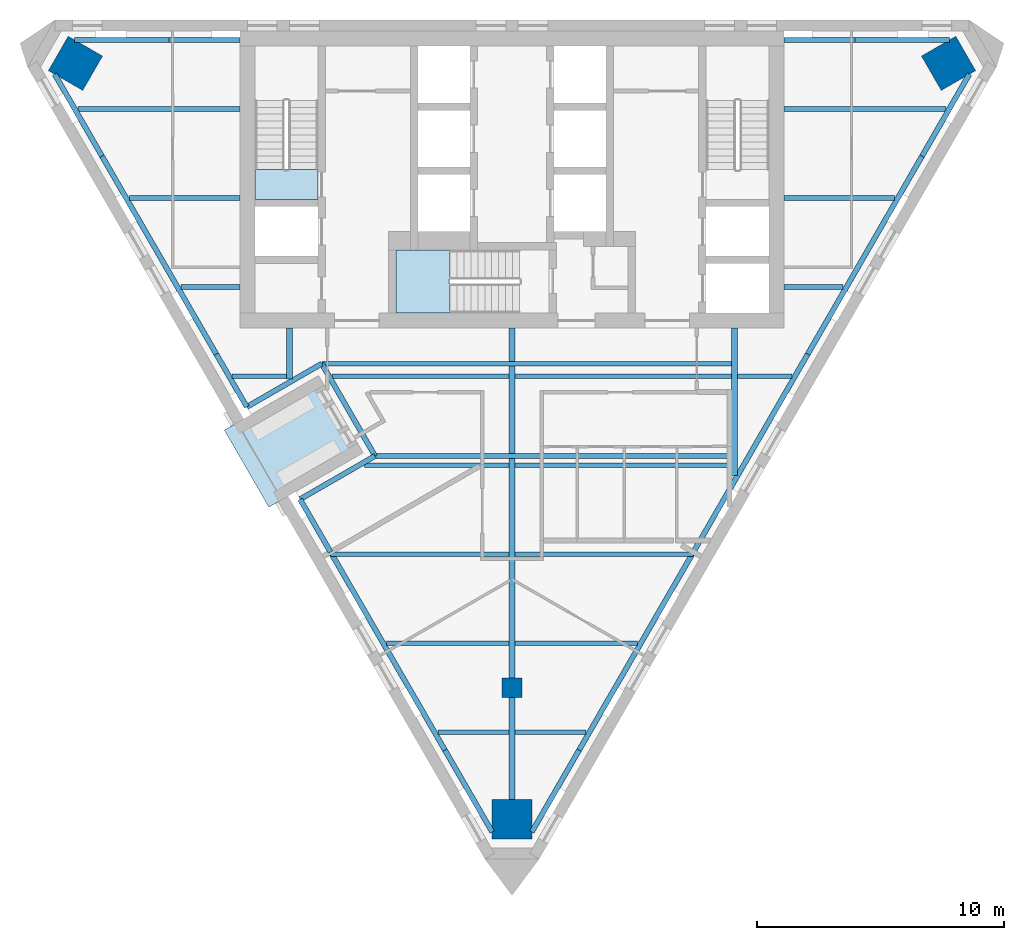
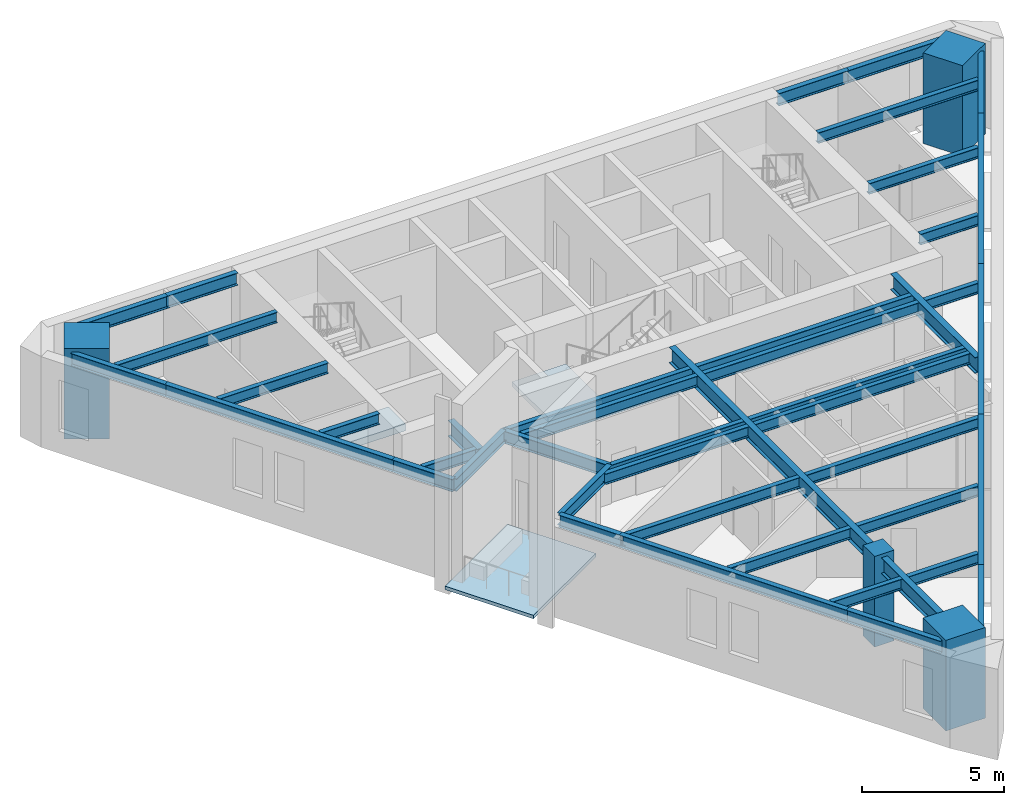
# One storey, part 1 of 7: 42 beams, 4 columns, 3 slabs, 1 element without a shape of its own.
"""IFC4 building model written with IfcOpenShell, lengths in metres."""

from ifc_helpers import new_model, si_unit, direction, frame, origin, origin_2d, place, context, subcontext, project, spatial, polyline, rectangle, i_section, outline, extrude, material, layer, layer_set, material_profile, profile_set, type_object, element, aggregate, save


model = new_model("IFC4")

# Units and contexts
model_context = context("Model", 3, precision=1e-05, world=origin(), true_north=direction((0.0, 1.0)))
body_context = subcontext(model_context, "Body", "Model", "MODEL_VIEW")
ifc_project = project(units=[si_unit("LENGTHUNIT", "METRE"), si_unit("AREAUNIT", "SQUARE_METRE"), si_unit("VOLUMEUNIT", "CUBIC_METRE"), si_unit("PLANEANGLEUNIT", "RADIAN"), si_unit("MASSUNIT", "GRAM", prefix="KILO")], contexts=[model_context])

# Site, building, storey
site_placement = place(None, origin())
site = spatial("IfcSite", under=ifc_project, at=site_placement, CompositionType="ELEMENT")
building_placement = place(site_placement, origin())
building = spatial("IfcBuilding", under=site, at=building_placement, Name="Aloe Facet Convention Tower", CompositionType="ELEMENT")
storey_placement = place(building_placement, frame((0.0, 0.0, 258.199951171875)))
storey = spatial("IfcBuildingStorey", under=building, at=storey_placement, Name="L63", CompositionType="ELEMENT", Elevation=258.199951171875)

# Columns
ifc_material_1 = material(Name="Concrete C70/85", Category="concrete")
ifc_material_profile_1 = material_profile(ifc_material_1, rectangle(XDim=0.800048828125, YDim=0.800048828125, at=origin_2d()), Name="SF-GC-Z5")
ifc_profile_set_1 = profile_set([ifc_material_profile_1], Name="Concrete C70/85")
column_type_1 = type_object("IfcColumnType", Name="SF-GC-Z5", PredefinedType="COLUMN", material=ifc_profile_set_1)
column_placement = place(storey_placement, frame((80.0, 108.0, 0.0), z_axis=(0.0, 0.0, 1.0), x_axis=(1.0, 0.0, 0.0)))
element("IfcColumn", 1, at=column_placement, inside=storey, type_object=column_type_1, Name="Gravity column GC-Z5-9D", PredefinedType="COLUMN", context=body_context, shape_type="SweptSolid", body=[
    extrude(rectangle(XDim=0.800048828125, YDim=0.800048828125, at=origin_2d()), origin(), (0.0, 0.0, 1.0), 3.900146484375),
])
ifc_material_2 = material(Name="Concrete C80/95", Category="concrete")
ifc_material_profile_2 = material_profile(ifc_material_2, rectangle(XDim=1.60009765625, YDim=1.60009765625, at=origin_2d()), Name="STW-MC-Z5")
ifc_profile_set_2 = profile_set([ifc_material_profile_2], Name="Concrete C80/95")
column_type_2 = type_object("IfcColumnType", Name="STW-MC-Z5", PredefinedType="COLUMN", material=ifc_profile_set_2)
for number, where, z_axis, x_axis, name in (
    (2, (97.650634765625, 133.247314453125, 0.0), (0.0, 0.0, 1.0), (-0.5, 0.866025403784, 0.0), "Mega-column MC-NE-L63"),
    (3, (62.349365234375, 133.247314453125, 0.0), (0.0, 0.0, 1.0), (-0.5, -0.866025403784, 0.0), "Mega-column MC-NW-L63"),
    (4, (80.0, 102.67578125, 0.0), (0.0, 0.0, 1.0), (1.0, 0.0, 0.0), "Mega-column MC-S-L63"),
):
    element("IfcColumn", number, at=place(storey_placement, frame(where, z_axis=z_axis, x_axis=x_axis)), inside=storey, type_object=column_type_2, Name=name, PredefinedType="COLUMN", context=body_context, shape_type="SweptSolid", body=[
        extrude(rectangle(XDim=1.60009765625, YDim=1.60009765625, at=origin_2d()), origin(), (0.0, 0.0, 1.0), 3.900146484375),
    ])

# Beams
ifc_material_3 = material(Name="Steel S355", Category="steel")
ifc_material_profile_3 = material_profile(ifc_material_3, i_section(OverallWidth=0.19140625, OverallDepth=0.4599609375, WebThickness=0.010009765625, FlangeThickness=0.01611328125, FilletRadius=0.01025390625, at=origin_2d()), Name="UB 457x191x82")
ifc_profile_set_3 = profile_set([ifc_material_profile_3], Name="Steel S355")
beam_type_1 = type_object("IfcBeamType", Name="SF-B-UB457x191x82", PredefinedType="BEAM", material=ifc_profile_set_3)
beam_1_placement = place(storey_placement, frame((62.452392578125, 131.39990234375, 3.52001953125), z_axis=(1.0, 0.0, 0.0), x_axis=(0.0, 1.0, 0.0)))
element("IfcBeam", 5, at=beam_1_placement, inside=storey, type_object=beam_type_1, Name="Floor beam FB-Z5F-023", PredefinedType="BEAM", context=body_context, shape_type="SweptSolid", body=[
    extrude(i_section(OverallWidth=0.19140625, OverallDepth=0.4599609375, WebThickness=0.010009765625, FlangeThickness=0.01611328125, FilletRadius=0.01025390625, at=origin_2d()), origin(), (0.0, 0.0, 1.0), 6.547607421875),
])
beam_2_placement = place(storey_placement, frame((64.53076171875, 127.800048828125, 3.52001953125), z_axis=(1.0, 0.0, 0.0), x_axis=(0.0, 1.0, 0.0)))
element("IfcBeam", 6, at=beam_2_placement, inside=storey, type_object=beam_type_1, Name="Floor beam FB-Z5F-024", PredefinedType="BEAM", context=body_context, shape_type="SweptSolid", body=[
    extrude(i_section(OverallWidth=0.19140625, OverallDepth=0.4599609375, WebThickness=0.010009765625, FlangeThickness=0.01611328125, FilletRadius=0.01025390625, at=origin_2d()), origin(), (0.0, 0.0, 1.0), 4.46923828125),
])
beam_3_placement = place(storey_placement, frame((66.609130859375, 124.199951171875, 3.52001953125), z_axis=(1.0, 0.0, 0.0), x_axis=(0.0, 1.0, 0.0)))
element("IfcBeam", 7, at=beam_3_placement, inside=storey, type_object=beam_type_1, Name="Floor beam FB-Z5F-025", PredefinedType="BEAM", context=body_context, shape_type="SweptSolid", body=[
    extrude(i_section(OverallWidth=0.19140625, OverallDepth=0.4599609375, WebThickness=0.010009765625, FlangeThickness=0.01611328125, FilletRadius=0.01025390625, at=origin_2d()), origin(), (0.0, 0.0, 1.0), 2.390869140625),
])
beam_4_placement = place(storey_placement, frame((68.687744140625, 120.60009765625, 3.52001953125), z_axis=(1.0, 0.0, 0.0), x_axis=(0.0, 1.0, 0.0)))
element("IfcBeam", 8, at=beam_4_placement, inside=storey, type_object=beam_type_1, Name="Floor beam FB-Z5F-026", PredefinedType="BEAM", context=body_context, shape_type="SweptSolid", body=[
    extrude(i_section(OverallWidth=0.19140625, OverallDepth=0.4599609375, WebThickness=0.010009765625, FlangeThickness=0.01611328125, FilletRadius=0.01025390625, at=origin_2d()), origin(), (0.0, 0.0, 1.0), 2.185791015625),
])
beam_5_placement = place(storey_placement, frame((72.3076171875, 121.103515625, 3.52001953125), z_axis=(1.0, 0.0, 0.0), x_axis=(0.0, 1.0, 0.0)))
element("IfcBeam", 9, at=beam_5_placement, inside=storey, type_object=beam_type_1, Name="Floor beam FB-Z5F-027", PredefinedType="BEAM", context=body_context, shape_type="SweptSolid", body=[
    extrude(i_section(OverallWidth=0.19140625, OverallDepth=0.4599609375, WebThickness=0.010009765625, FlangeThickness=0.01611328125, FilletRadius=0.01025390625, at=origin_2d()), origin(), (0.0, 0.0, 1.0), 16.6923828125),
])
beam_6_placement = place(storey_placement, frame((72.66455078125, 113.39990234375, 3.52001953125), z_axis=(1.0, 0.0, 0.0), x_axis=(0.0, 1.0, 0.0)))
element("IfcBeam", 10, at=beam_6_placement, inside=storey, type_object=beam_type_1, Name="Floor beam FB-Z5F-028", PredefinedType="BEAM", context=body_context, shape_type="SweptSolid", body=[
    extrude(i_section(OverallWidth=0.19140625, OverallDepth=0.4599609375, WebThickness=0.010009765625, FlangeThickness=0.01611328125, FilletRadius=0.01025390625, at=origin_2d()), origin(), (0.0, 0.0, 1.0), 7.208984375),
])
beam_7_placement = place(storey_placement, frame((72.72900390625, 120.60009765625, 3.52001953125), z_axis=(1.0, 0.0, 0.0), x_axis=(0.0, 1.0, 0.0)))
element("IfcBeam", 11, at=beam_7_placement, inside=storey, type_object=beam_type_1, Name="Floor beam FB-Z5F-029", PredefinedType="BEAM", context=body_context, shape_type="SweptSolid", body=[
    extrude(i_section(OverallWidth=0.19140625, OverallDepth=0.4599609375, WebThickness=0.010009765625, FlangeThickness=0.01611328125, FilletRadius=0.01025390625, at=origin_2d()), origin(), (0.0, 0.0, 1.0), 7.14453125),
])
beam_8_placement = place(storey_placement, frame((74.037841796875, 117.0, 3.52001953125), z_axis=(1.0, 0.0, 0.0), x_axis=(0.0, 1.0, 0.0)))
element("IfcBeam", 12, at=beam_8_placement, inside=storey, type_object=beam_type_1, Name="Floor beam FB-Z5F-030", PredefinedType="BEAM", context=body_context, shape_type="SweptSolid", body=[
    extrude(i_section(OverallWidth=0.19140625, OverallDepth=0.4599609375, WebThickness=0.010009765625, FlangeThickness=0.01611328125, FilletRadius=0.01025390625, at=origin_2d()), origin(), (0.0, 0.0, 1.0), 5.835693359375),
])
beam_9_placement = place(storey_placement, frame((74.462158203125, 117.37158203125, 3.52001953125), z_axis=(1.0, 0.0, 0.0), x_axis=(0.0, 1.0, 0.0)))
element("IfcBeam", 13, at=beam_9_placement, inside=storey, type_object=beam_type_1, Name="Floor beam FB-Z5F-031", PredefinedType="BEAM", context=body_context, shape_type="SweptSolid", body=[
    extrude(i_section(OverallWidth=0.19140625, OverallDepth=0.4599609375, WebThickness=0.010009765625, FlangeThickness=0.01611328125, FilletRadius=0.01025390625, at=origin_2d()), origin(), (0.0, 0.0, 1.0), 14.537841796875),
])
beam_10_placement = place(storey_placement, frame((74.923095703125, 109.800048828125, 3.52001953125), z_axis=(1.0, 0.0, 0.0), x_axis=(0.0, 1.0, 0.0)))
element("IfcBeam", 14, at=beam_10_placement, inside=storey, type_object=beam_type_1, Name="Floor beam FB-Z5F-032", PredefinedType="BEAM", context=body_context, shape_type="SweptSolid", body=[
    extrude(i_section(OverallWidth=0.19140625, OverallDepth=0.4599609375, WebThickness=0.010009765625, FlangeThickness=0.01611328125, FilletRadius=0.01025390625, at=origin_2d()), origin(), (0.0, 0.0, 1.0), 4.950439453125),
])
for number, where, z_axis, x_axis, name in (
    (15, (77.00146484375, 106.199951171875, 3.52001953125), (1.0, 0.0, 0.0), (0.0, 1.0, 0.0), "Floor beam FB-Z5F-033"),
    (16, (80.12646484375, 106.199951171875, 3.52001953125), (1.0, 0.0, 0.0), (0.0, 1.0, 0.0), "Floor beam FB-Z5F-034"),
):
    element("IfcBeam", number, at=place(storey_placement, frame(where, z_axis=z_axis, x_axis=x_axis)), inside=storey, type_object=beam_type_1, Name=name, PredefinedType="BEAM", context=body_context, shape_type="SweptSolid", body=[
        extrude(i_section(OverallWidth=0.19140625, OverallDepth=0.4599609375, WebThickness=0.010009765625, FlangeThickness=0.01611328125, FilletRadius=0.01025390625, at=origin_2d()), origin(), (0.0, 0.0, 1.0), 2.8720703125),
    ])
beam_11_placement = place(storey_placement, frame((80.12646484375, 109.800048828125, 3.52001953125), z_axis=(1.0, 0.0, 0.0), x_axis=(0.0, 1.0, 0.0)))
element("IfcBeam", 17, at=beam_11_placement, inside=storey, type_object=beam_type_1, Name="Floor beam FB-Z5F-035", PredefinedType="BEAM", context=body_context, shape_type="SweptSolid", body=[
    extrude(i_section(OverallWidth=0.19140625, OverallDepth=0.4599609375, WebThickness=0.010009765625, FlangeThickness=0.01611328125, FilletRadius=0.01025390625, at=origin_2d()), origin(), (0.0, 0.0, 1.0), 4.950439453125),
])
beam_12_placement = place(storey_placement, frame((80.12646484375, 113.39990234375, 3.52001953125), z_axis=(1.0, 0.0, 0.0), x_axis=(0.0, 1.0, 0.0)))
element("IfcBeam", 18, at=beam_12_placement, inside=storey, type_object=beam_type_1, Name="Floor beam FB-Z5F-036", PredefinedType="BEAM", context=body_context, shape_type="SweptSolid", body=[
    extrude(i_section(OverallWidth=0.19140625, OverallDepth=0.4599609375, WebThickness=0.010009765625, FlangeThickness=0.01611328125, FilletRadius=0.01025390625, at=origin_2d()), origin(), (0.0, 0.0, 1.0), 7.208984375),
])
for number, where, z_axis, x_axis, name in (
    (19, (80.12646484375, 117.0, 3.52001953125), (1.0, 0.0, 0.0), (0.0, 1.0, 0.0), "Floor beam FB-Z5F-037"),
    (20, (80.12646484375, 120.60009765625, 3.52001953125), (1.0, 0.0, 0.0), (0.0, 1.0, 0.0), "Floor beam FB-Z5F-038"),
):
    element("IfcBeam", number, at=place(storey_placement, frame(where, z_axis=z_axis, x_axis=x_axis)), inside=storey, type_object=beam_type_1, Name=name, PredefinedType="BEAM", context=body_context, shape_type="SweptSolid", body=[
        extrude(i_section(OverallWidth=0.19140625, OverallDepth=0.4599609375, WebThickness=0.010009765625, FlangeThickness=0.01611328125, FilletRadius=0.01025390625, at=origin_2d()), origin(), (0.0, 0.0, 1.0), 8.7470703125),
    ])
beam_13_placement = place(storey_placement, frame((89.12646484375, 120.60009765625, 3.52001953125), z_axis=(1.0, 0.0, 0.0), x_axis=(0.0, 1.0, 0.0)))
element("IfcBeam", 21, at=beam_13_placement, inside=storey, type_object=beam_type_1, Name="Floor beam FB-Z5F-039", PredefinedType="BEAM", context=body_context, shape_type="SweptSolid", body=[
    extrude(i_section(OverallWidth=0.19140625, OverallDepth=0.4599609375, WebThickness=0.010009765625, FlangeThickness=0.01611328125, FilletRadius=0.01025390625, at=origin_2d()), origin(), (0.0, 0.0, 1.0), 2.185791015625),
])
beam_14_placement = place(storey_placement, frame((91.0, 124.199951171875, 3.52001953125), z_axis=(1.0, 0.0, 0.0), x_axis=(0.0, 1.0, 0.0)))
element("IfcBeam", 22, at=beam_14_placement, inside=storey, type_object=beam_type_1, Name="Floor beam FB-Z5F-040", PredefinedType="BEAM", context=body_context, shape_type="SweptSolid", body=[
    extrude(i_section(OverallWidth=0.19140625, OverallDepth=0.4599609375, WebThickness=0.010009765625, FlangeThickness=0.01611328125, FilletRadius=0.01025390625, at=origin_2d()), origin(), (0.0, 0.0, 1.0), 2.390869140625),
])
beam_15_placement = place(storey_placement, frame((91.0, 127.800048828125, 3.52001953125), z_axis=(1.0, 0.0, 0.0), x_axis=(0.0, 1.0, 0.0)))
element("IfcBeam", 23, at=beam_15_placement, inside=storey, type_object=beam_type_1, Name="Floor beam FB-Z5F-041", PredefinedType="BEAM", context=body_context, shape_type="SweptSolid", body=[
    extrude(i_section(OverallWidth=0.19140625, OverallDepth=0.4599609375, WebThickness=0.010009765625, FlangeThickness=0.01611328125, FilletRadius=0.01025390625, at=origin_2d()), origin(), (0.0, 0.0, 1.0), 4.46923828125),
])
beam_16_placement = place(storey_placement, frame((91.0, 131.39990234375, 3.52001953125), z_axis=(1.0, 0.0, 0.0), x_axis=(0.0, 1.0, 0.0)))
element("IfcBeam", 24, at=beam_16_placement, inside=storey, type_object=beam_type_1, Name="Floor beam FB-Z5F-042", PredefinedType="BEAM", context=body_context, shape_type="SweptSolid", body=[
    extrude(i_section(OverallWidth=0.19140625, OverallDepth=0.4599609375, WebThickness=0.010009765625, FlangeThickness=0.01611328125, FilletRadius=0.01025390625, at=origin_2d()), origin(), (0.0, 0.0, 1.0), 6.547607421875),
])
ifc_material_4 = material(Name="Steel S355", Category="steel")
ifc_material_profile_4 = material_profile(ifc_material_4, i_section(OverallWidth=0.209228515625, OverallDepth=0.533203125, WebThickness=0.010009765625, FlangeThickness=0.015625, FilletRadius=0.0126953125, at=origin_2d()), Name="UB 533x210x92")
ifc_profile_set_4 = profile_set([ifc_material_profile_4], Name="Steel S355")
beam_type_2 = type_object("IfcBeamType", Name="SF-B-UB533x210x92", PredefinedType="BEAM", material=ifc_profile_set_4)
for number, where, z_axis, x_axis, name in (
    (25, (62.3076171875, 134.1953125, 3.483642578125), (1.0, 0.0, 0.0), (0.0, 1.0, 0.0), "Floor beam FB-Z5F-001"),
    (26, (63.42138671875, 129.49462890625, 3.483642578125), (-0.499959852221, 0.866048581874, 0.0), (-0.866048581874, -0.499959852221, 0.0), "Floor beam FB-Z5F-002"),
):
    element("IfcBeam", number, at=place(storey_placement, frame(where, z_axis=z_axis, x_axis=x_axis)), inside=storey, type_object=beam_type_2, Name=name, PredefinedType="BEAM", context=body_context, shape_type="SweptSolid", body=[
        extrude(i_section(OverallWidth=0.209228515625, OverallDepth=0.533203125, WebThickness=0.010009765625, FlangeThickness=0.015625, FilletRadius=0.0126953125, at=origin_2d()), origin(), (0.0, 0.0, 1.0), 3.827880859375),
    ])
beam_17_placement = place(storey_placement, frame((66.135498046875, 134.1953125, 3.483642578125), z_axis=(1.0, 0.0, 0.0), x_axis=(0.0, 1.0, 0.0)))
element("IfcBeam", 27, at=beam_17_placement, inside=storey, type_object=beam_type_2, Name="Floor beam FB-Z5F-003", PredefinedType="BEAM", context=body_context, shape_type="SweptSolid", body=[
    extrude(i_section(OverallWidth=0.209228515625, OverallDepth=0.533203125, WebThickness=0.010009765625, FlangeThickness=0.015625, FilletRadius=0.0126953125, at=origin_2d()), origin(), (0.0, 0.0, 1.0), 2.864501953125),
])
beam_18_placement = place(storey_placement, frame((68.04296875, 121.489990234375, 3.483642578125), z_axis=(-0.500008255345, 0.866020637506, 0.0), x_axis=(-0.866020637506, -0.500008255345, 0.0)))
element("IfcBeam", 28, at=beam_18_placement, inside=storey, type_object=beam_type_2, Name="Floor beam FB-Z5F-004", PredefinedType="BEAM", context=body_context, shape_type="SweptSolid", body=[
    extrude(i_section(OverallWidth=0.209228515625, OverallDepth=0.533203125, WebThickness=0.010009765625, FlangeThickness=0.015625, FilletRadius=0.0126953125, at=origin_2d()), origin(), (0.0, 0.0, 1.0), 9.242919921875),
])
beam_19_placement = place(storey_placement, frame((69.2763671875, 119.353515625, 3.483642578125), z_axis=(-0.499970888758, 0.866042210515, 0.0), x_axis=(-0.866042210515, -0.499970888758, 0.0)))
element("IfcBeam", 29, at=beam_19_placement, inside=storey, type_object=beam_type_2, Name="Floor beam FB-Z5F-005", PredefinedType="BEAM", context=body_context, shape_type="SweptSolid", body=[
    extrude(i_section(OverallWidth=0.209228515625, OverallDepth=0.533203125, WebThickness=0.010009765625, FlangeThickness=0.015625, FilletRadius=0.0126953125, at=origin_2d()), origin(), (0.0, 0.0, 1.0), 2.467041015625),
])
beam_20_placement = place(storey_placement, frame((71.43115234375, 115.62158203125, 3.483642578125), z_axis=(0.866019471182, 0.500010275428, 0.0), x_axis=(-0.500010275428, 0.866019471182, 0.0)))
element("IfcBeam", 30, at=beam_20_placement, inside=storey, type_object=beam_type_2, Name="Floor beam FB-Z5F-006", PredefinedType="BEAM", context=body_context, shape_type="SweptSolid", body=[
    extrude(i_section(OverallWidth=0.209228515625, OverallDepth=0.533203125, WebThickness=0.010009765625, FlangeThickness=0.015625, FilletRadius=0.0126953125, at=origin_2d()), origin(), (0.0, 0.0, 1.0), 3.5),
])
beam_21_placement = place(storey_placement, frame((72.3076171875, 121.103515625, 3.483642578125), z_axis=(-0.866036909293, -0.499980071345, 0.0), x_axis=(0.499980071345, -0.866036909293, 0.0)))
element("IfcBeam", 31, at=beam_21_placement, inside=storey, type_object=beam_type_2, Name="Floor beam FB-Z5F-007", PredefinedType="BEAM", context=body_context, shape_type="SweptSolid", body=[
    extrude(i_section(OverallWidth=0.209228515625, OverallDepth=0.533203125, WebThickness=0.010009765625, FlangeThickness=0.015625, FilletRadius=0.0126953125, at=origin_2d()), origin(), (0.0, 0.0, 1.0), 3.500244140625),
])
beam_22_placement = place(storey_placement, frame((72.66455078125, 113.485107421875, 3.483642578125), z_axis=(-0.499970888758, 0.866042210515, 0.0), x_axis=(-0.866042210515, -0.499970888758, 0.0)))
element("IfcBeam", 32, at=beam_22_placement, inside=storey, type_object=beam_type_2, Name="Floor beam FB-Z5F-008", PredefinedType="BEAM", context=body_context, shape_type="SweptSolid", body=[
    extrude(i_section(OverallWidth=0.209228515625, OverallDepth=0.533203125, WebThickness=0.010009765625, FlangeThickness=0.015625, FilletRadius=0.0126953125, at=origin_2d()), origin(), (0.0, 0.0, 1.0), 2.467041015625),
])
beam_23_placement = place(storey_placement, frame((74.462158203125, 117.37158203125, 3.483642578125), z_axis=(-0.49998401396, 0.866034633132, 0.0), x_axis=(-0.866034633132, -0.49998401396, 0.0)))
element("IfcBeam", 33, at=beam_23_placement, inside=storey, type_object=beam_type_2, Name="Floor beam FB-Z5F-009", PredefinedType="BEAM", context=body_context, shape_type="SweptSolid", body=[
    extrude(i_section(OverallWidth=0.209228515625, OverallDepth=0.533203125, WebThickness=0.010009765625, FlangeThickness=0.015625, FilletRadius=0.0126953125, at=origin_2d()), origin(), (0.0, 0.0, 1.0), 4.309326171875),
])
beam_24_placement = place(storey_placement, frame((77.2861328125, 105.48046875, 3.483642578125), z_axis=(-0.500008255345, 0.866020637506, 0.0), x_axis=(-0.866020637506, -0.500008255345, 0.0)))
element("IfcBeam", 34, at=beam_24_placement, inside=storey, type_object=beam_type_2, Name="Floor beam FB-Z5F-010", PredefinedType="BEAM", context=body_context, shape_type="SweptSolid", body=[
    extrude(i_section(OverallWidth=0.209228515625, OverallDepth=0.533203125, WebThickness=0.010009765625, FlangeThickness=0.015625, FilletRadius=0.0126953125, at=origin_2d()), origin(), (0.0, 0.0, 1.0), 9.242919921875),
])
for number, where, z_axis, x_axis, name in (
    (35, (79.199951171875, 102.16552734375, 3.483642578125), (-0.499987468925, 0.866032638483, 0.0), (-0.866032638483, -0.499987468925, 0.0), "Floor beam FB-Z5F-011"),
    (36, (82.7138671875, 105.48046875, 3.483642578125), (-0.499987468925, -0.866032638483, 0.0), (0.866032638483, -0.499987468925, 0.0), "Floor beam FB-Z5F-012"),
):
    element("IfcBeam", number, at=place(storey_placement, frame(where, z_axis=z_axis, x_axis=x_axis)), inside=storey, type_object=beam_type_2, Name=name, PredefinedType="BEAM", context=body_context, shape_type="SweptSolid", body=[
        extrude(i_section(OverallWidth=0.209228515625, OverallDepth=0.533203125, WebThickness=0.010009765625, FlangeThickness=0.015625, FilletRadius=0.0126953125, at=origin_2d()), origin(), (0.0, 0.0, 1.0), 3.82763671875),
    ])
beam_25_placement = place(storey_placement, frame((87.33544921875, 113.485107421875, 3.483642578125), z_axis=(-0.500008255345, -0.866020637506, 0.0), x_axis=(0.866020637506, -0.500008255345, 0.0)))
element("IfcBeam", 37, at=beam_25_placement, inside=storey, type_object=beam_type_2, Name="Floor beam FB-Z5F-013", PredefinedType="BEAM", context=body_context, shape_type="SweptSolid", body=[
    extrude(i_section(OverallWidth=0.209228515625, OverallDepth=0.533203125, WebThickness=0.010009765625, FlangeThickness=0.015625, FilletRadius=0.0126953125, at=origin_2d()), origin(), (0.0, 0.0, 1.0), 9.242919921875),
])
beam_26_placement = place(storey_placement, frame((91.0, 134.1953125, 3.483642578125), z_axis=(1.0, 0.0, 0.0), x_axis=(0.0, 1.0, 0.0)))
element("IfcBeam", 38, at=beam_26_placement, inside=storey, type_object=beam_type_2, Name="Floor beam FB-Z5F-014", PredefinedType="BEAM", context=body_context, shape_type="SweptSolid", body=[
    extrude(i_section(OverallWidth=0.209228515625, OverallDepth=0.533203125, WebThickness=0.010009765625, FlangeThickness=0.015625, FilletRadius=0.0126953125, at=origin_2d()), origin(), (0.0, 0.0, 1.0), 2.864501953125),
])
beam_27_placement = place(storey_placement, frame((91.95703125, 121.489990234375, 3.483642578125), z_axis=(-0.49999681804, -0.866027240882, 0.0), x_axis=(0.866027240882, -0.49999681804, 0.0)))
element("IfcBeam", 39, at=beam_27_placement, inside=storey, type_object=beam_type_2, Name="Floor beam FB-Z5F-015", PredefinedType="BEAM", context=body_context, shape_type="SweptSolid", body=[
    extrude(i_section(OverallWidth=0.209228515625, OverallDepth=0.533203125, WebThickness=0.010009765625, FlangeThickness=0.015625, FilletRadius=0.0126953125, at=origin_2d()), origin(), (0.0, 0.0, 1.0), 9.2431640625),
])
beam_28_placement = place(storey_placement, frame((93.864501953125, 134.1953125, 3.483642578125), z_axis=(1.0, 0.0, 0.0), x_axis=(0.0, 1.0, 0.0)))
element("IfcBeam", 40, at=beam_28_placement, inside=storey, type_object=beam_type_2, Name="Floor beam FB-Z5F-016", PredefinedType="BEAM", context=body_context, shape_type="SweptSolid", body=[
    extrude(i_section(OverallWidth=0.209228515625, OverallDepth=0.533203125, WebThickness=0.010009765625, FlangeThickness=0.015625, FilletRadius=0.0126953125, at=origin_2d()), origin(), (0.0, 0.0, 1.0), 3.827880859375),
])
beam_29_placement = place(storey_placement, frame((96.57861328125, 129.49462890625, 3.483642578125), z_axis=(-0.500008255345, -0.866020637506, 0.0), x_axis=(0.866020637506, -0.500008255345, 0.0)))
element("IfcBeam", 41, at=beam_29_placement, inside=storey, type_object=beam_type_2, Name="Floor beam FB-Z5F-017", PredefinedType="BEAM", context=body_context, shape_type="SweptSolid", body=[
    extrude(i_section(OverallWidth=0.209228515625, OverallDepth=0.533203125, WebThickness=0.010009765625, FlangeThickness=0.015625, FilletRadius=0.0126953125, at=origin_2d()), origin(), (0.0, 0.0, 1.0), 9.242919921875),
])
beam_30_placement = place(storey_placement, frame((98.492431640625, 132.809814453125, 3.483642578125), z_axis=(-0.499959852221, -0.866048581874, 0.0), x_axis=(0.866048581874, -0.499959852221, 0.0)))
element("IfcBeam", 42, at=beam_30_placement, inside=storey, type_object=beam_type_2, Name="Floor beam FB-Z5F-018", PredefinedType="BEAM", context=body_context, shape_type="SweptSolid", body=[
    extrude(i_section(OverallWidth=0.209228515625, OverallDepth=0.533203125, WebThickness=0.010009765625, FlangeThickness=0.015625, FilletRadius=0.0126953125, at=origin_2d()), origin(), (0.0, 0.0, 1.0), 3.827880859375),
])
ifc_material_5 = material(Name="Steel S355", Category="steel")
ifc_material_profile_5 = material_profile(ifc_material_5, i_section(OverallWidth=0.2529296875, OverallDepth=0.677978515625, WebThickness=0.01171875, FlangeThickness=0.01611328125, FilletRadius=0.01513671875, at=origin_2d()), Name="UB 686x254x125")
ifc_profile_set_5 = profile_set([ifc_material_profile_5], Name="Steel S355")
beam_type_3 = type_object("IfcBeamType", Name="SF-B-UB686x254x125", PredefinedType="BEAM", material=ifc_profile_set_5)
beam_31_placement = place(storey_placement, frame((71.0, 122.550048828125, 3.4111328125), z_axis=(0.0, -1.0, 0.0), x_axis=(1.0, 0.0, 0.0)))
element("IfcBeam", 43, at=beam_31_placement, inside=storey, type_object=beam_type_3, Name="Floor beam FB-Z5F-019", PredefinedType="BEAM", context=body_context, shape_type="SweptSolid", body=[
    extrude(i_section(OverallWidth=0.2529296875, OverallDepth=0.677978515625, WebThickness=0.01171875, FlangeThickness=0.01611328125, FilletRadius=0.01513671875, at=origin_2d()), origin(), (0.0, 0.0, 1.0), 2.070556640625),
])
beam_32_placement = place(storey_placement, frame((80.0, 107.60009765625, 3.4111328125), z_axis=(0.0, -1.0, 0.0), x_axis=(1.0, 0.0, 0.0)))
element("IfcBeam", 44, at=beam_32_placement, inside=storey, type_object=beam_type_3, Name="Floor beam FB-Z5F-020", PredefinedType="BEAM", context=body_context, shape_type="SweptSolid", body=[
    extrude(i_section(OverallWidth=0.2529296875, OverallDepth=0.677978515625, WebThickness=0.01171875, FlangeThickness=0.01611328125, FilletRadius=0.01513671875, at=origin_2d()), origin(), (0.0, 0.0, 1.0), 5.60498046875),
])
beam_33_placement = place(storey_placement, frame((80.0, 122.550048828125, 3.4111328125), z_axis=(0.0, -1.0, 0.0), x_axis=(1.0, 0.0, 0.0)))
element("IfcBeam", 45, at=beam_33_placement, inside=storey, type_object=beam_type_3, Name="Floor beam FB-Z5F-021", PredefinedType="BEAM", context=body_context, shape_type="SweptSolid", body=[
    extrude(i_section(OverallWidth=0.2529296875, OverallDepth=0.677978515625, WebThickness=0.01171875, FlangeThickness=0.01611328125, FilletRadius=0.01513671875, at=origin_2d()), origin(), (0.0, 0.0, 1.0), 14.150146484375),
])
beam_34_placement = place(storey_placement, frame((89.0, 122.550048828125, 3.4111328125), z_axis=(0.0, -1.0, 0.0), x_axis=(1.0, 0.0, 0.0)))
element("IfcBeam", 46, at=beam_34_placement, inside=storey, type_object=beam_type_3, Name="Floor beam FB-Z5F-022", PredefinedType="BEAM", context=body_context, shape_type="SweptSolid", body=[
    extrude(i_section(OverallWidth=0.2529296875, OverallDepth=0.677978515625, WebThickness=0.01171875, FlangeThickness=0.01611328125, FilletRadius=0.01513671875, at=origin_2d()), origin(), (0.0, 0.0, 1.0), 5.96240234375),
])

# Slab
ifc_material_6 = material(Name="Concrete C50/60", Category="concrete")
ifc_layer_1 = layer(ifc_material_6, 0.300048828125)
ifc_layer_set_1 = layer_set([ifc_layer_1], Name="CR-S-FLOOR300-C5060")
slab_type_1 = type_object("IfcSlabType", Name="CR-S-FLOOR300-C5060", PredefinedType="FLOOR", material=ifc_layer_set_1)
slab_1_placement = place(storey_placement, frame((0.0, 0.0, -0.300048828125)))
element("IfcSlab", 47, at=slab_1_placement, inside=storey, type_object=slab_type_1, Name="Stair landing floor L63", PredefinedType="FLOOR", context=body_context, shape_type="SweptSolid", body=[
    extrude(outline(polyline([(72.14990234375, 127.75), (72.14990234375, 128.951171875), (69.60009765625, 128.951171875), (69.60009765625, 127.75), (72.14990234375, 127.75)])), origin(), (0.0, 0.0, 1.0), 0.300048828125),
])

# Stair, slab
ifc_material_7 = material(Name="Concrete C50/60", Category="concrete")
stair_type = type_object("IfcStairType", Name="CR-ST-22R", PredefinedType="HALF_TURN_STAIR", material=ifc_material_7)
stair_placement = place(storey_placement, origin())
stair = element("IfcStair", 48, at=stair_placement, inside=storey, type_object=stair_type, Name="L63 Protected exit stair ST3", PredefinedType="HALF_TURN_STAIR")
ifc_material_8 = material(Name="Concrete C50/60", Category="concrete")
ifc_layer_2 = layer(ifc_material_8, 0.199951171875)
ifc_layer_set_2 = layer_set([ifc_layer_2], Name="CR-SL-LANDING")
slab_type_2 = type_object("IfcSlabType", Name="CR-SL-LANDING", PredefinedType="LANDING", material=ifc_layer_set_2)
slab_2_placement = place(storey_placement, frame((0.0, 0.0, 1.75)))
slab_2 = element("IfcSlab", 49, at=slab_2_placement, type_object=slab_type_2, Name="ST3 landing 1", PredefinedType="LANDING", context=body_context, shape_type="SweptSolid", body=[
    extrude(outline(polyline([(77.5, 125.699951171875), (75.300048828125, 125.699951171875), (75.300048828125, 123.14990234375), (77.5, 123.14990234375), (77.5, 125.699951171875)])), origin(), (0.0, 0.0, 1.0), 0.199951171875),
])
aggregate(stair, [slab_2])

# Slab
ifc_material_9 = material(Name="Concrete C35/45", Category="concrete")
ifc_layer_3 = layer(ifc_material_9, 0.14990234375)
ifc_layer_set_3 = layer_set([ifc_layer_3], Name="SF-TS-150")
slab_type_3 = type_object("IfcSlabType", Name="SF-TS-150", PredefinedType="FLOOR", material=ifc_layer_set_3)
slab_3_placement = place(storey_placement, frame((0.0, 0.0, -0.14990234375)))
element("IfcSlab", 50, at=slab_3_placement, inside=storey, type_object=slab_type_3, Name="Terrace slab T14", PredefinedType="FLOOR", context=body_context, shape_type="SweptSolid", body=[
    extrude(outline(polyline([(68.3671875, 118.419189453125), (72.177734375, 120.619140625), (73.977783203125, 117.50146484375), (70.167236328125, 115.301513671875), (68.3671875, 118.419189453125)])), origin(), (0.0, 0.0, 1.0), 0.14990234375),
])

save(model, "model.ifc")
